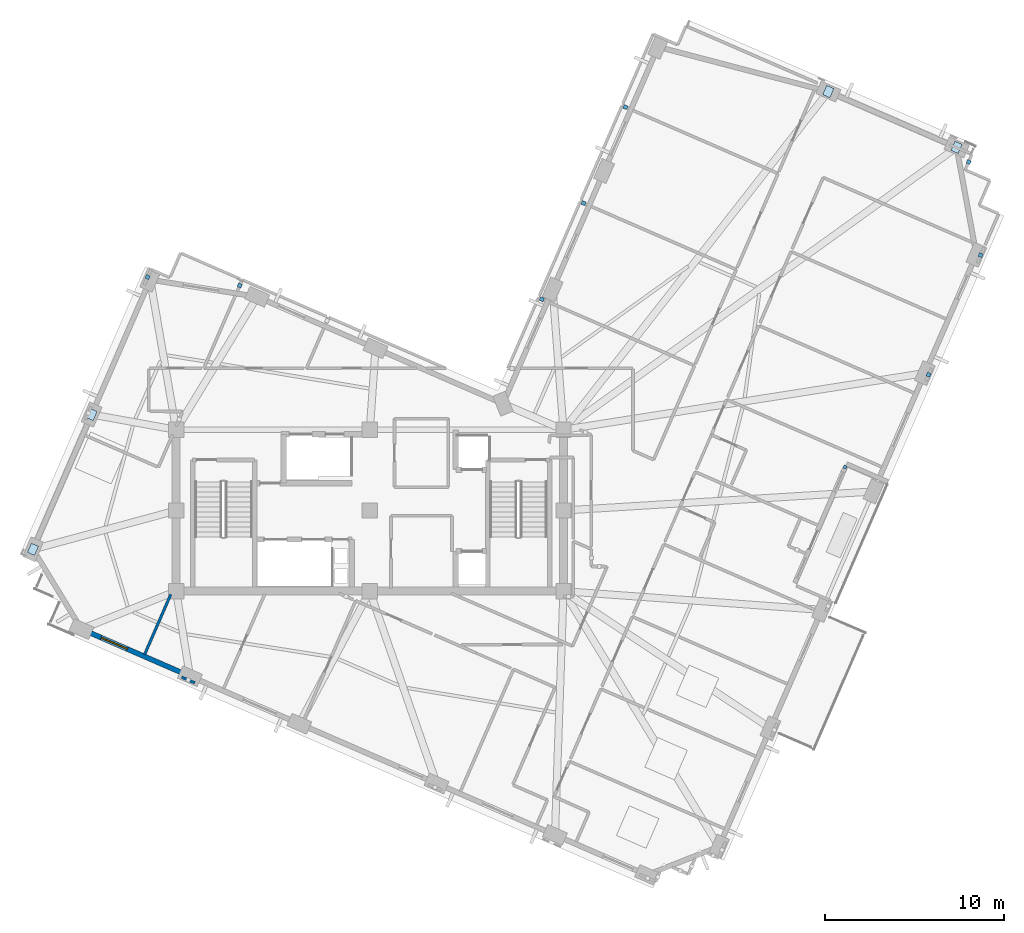
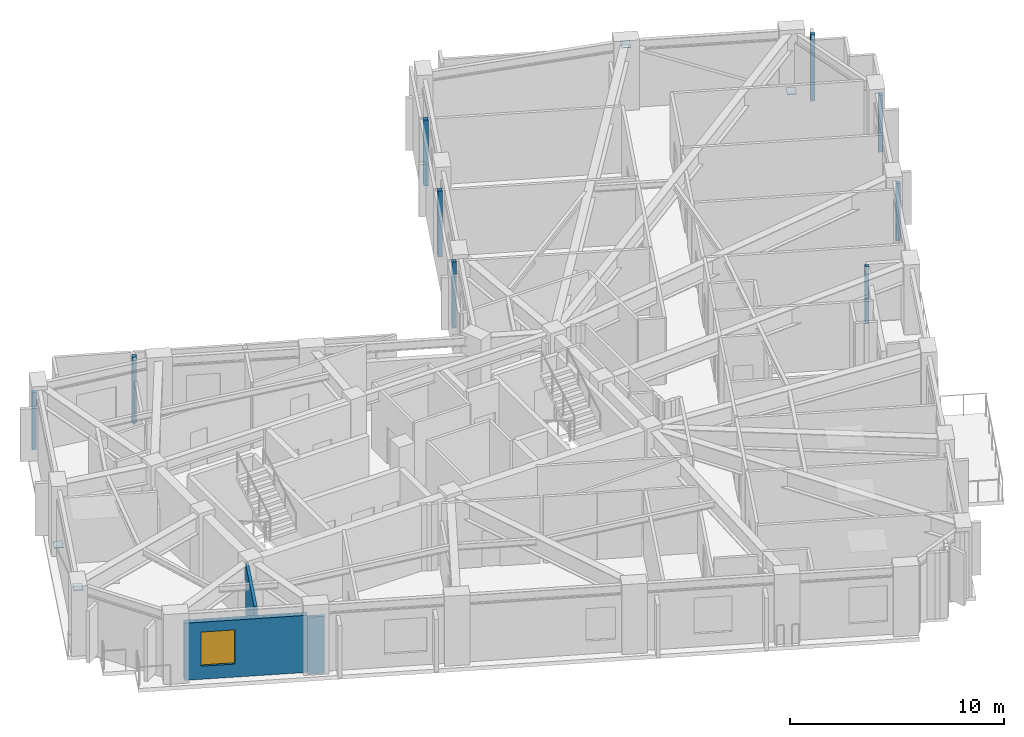
# One storey, part 3 of 11: 13 plates, 3 walls, 1 window, 1 opening.
"""IFC4 building model written with IfcOpenShell, lengths in metres."""

from ifc_helpers import new_model, si_unit, direction, frame, frame_2d, origin, origin_2d, place, context, subcontext, project, spatial, rectangle, extrude, material, layer, layer_set, type_object, element, fill, save


model = new_model("IFC4")

# Units and contexts
model_context = context("Model", 3, precision=1e-05, world=origin(), true_north=direction((0.0, 1.0)))
body_context = subcontext(model_context, "Body", "Model", "MODEL_VIEW")
ifc_project = project(units=[si_unit("LENGTHUNIT", "METRE"), si_unit("AREAUNIT", "SQUARE_METRE"), si_unit("VOLUMEUNIT", "CUBIC_METRE"), si_unit("PLANEANGLEUNIT", "RADIAN"), si_unit("MASSUNIT", "GRAM", prefix="KILO")], contexts=[model_context])

# Site, building, storey
site_placement = place(None, origin())
site = spatial("IfcSite", under=ifc_project, at=site_placement, CompositionType="ELEMENT")
building_placement = place(site_placement, origin())
building = spatial("IfcBuilding", under=site, at=building_placement, Name="Gaonmaruhae Medical Tower", CompositionType="ELEMENT")
storey_placement = place(building_placement, frame((0.0, 0.0, 324.60009765625)))
storey = spatial("IfcBuildingStorey", under=building, at=storey_placement, Name="L78", CompositionType="ELEMENT", Elevation=324.60009765625)

# Plates
ifc_material_1 = material(Name="Steel HSA650 (650 MPa)", Category="steel")
ifc_layer_1 = layer(ifc_material_1, 0.028076171875)
ifc_layer_set_1 = layer_set([ifc_layer_1], Name="Steel HSA650 (650 MPa)")
plate_type_1 = type_object("IfcPlateType", Name="GP-02 Tube Brace End Cap Gusset Plate", PredefinedType="USERDEFINED", material=ifc_layer_set_1)
for number, where, z_axis, x_axis, name in (
    (1, (57.525634765625, 32.552734375, 0.23583984375), (0.0, 0.0, 1.0), (0.398749068925, 0.917060074385, 0.0), "L78 Gusset Cap Plate PLT-L78-PBR-E01A"),
    (2, (50.372802734375, 35.662841796875, 3.515625), (0.0, 0.0, 1.0), (0.398749068925, 0.917060074385, 0.0), "L78 Gusset Cap Plate PLT-L78-PBR-E01B"),
    (3, (9.283447265625, 17.653564453125, 0.23583984375), (0.0, 0.0, 1.0), (0.398749068925, 0.917060074385, 0.0), "L78 Gusset Cap Plate PLT-L78-PBR-N02A"),
    (4, (6.013671875, 10.133544921875, 3.515625), (0.0, 0.0, 1.0), (0.398749068925, 0.917060074385, 0.0), "L78 Gusset Cap Plate PLT-L78-PBR-N02B"),
):
    element("IfcPlate", number, at=place(storey_placement, frame(where, z_axis=z_axis, x_axis=x_axis)), inside=storey, type_object=plate_type_1, Name=name, ObjectType="GUSSET_PLATE", PredefinedType="USERDEFINED", context=body_context, shape_type="SweptSolid", body=[
        extrude(rectangle(XDim=0.56005859375, YDim=0.43994140625, at=origin_2d()), origin(), (0.0, 0.0, 1.0), 0.028076171875),
    ])
ifc_material_2 = material(Name="Anodised aluminium 6063-T6", Category="aluminium")
ifc_layer_2 = layer(ifc_material_2, 0.011962890625)
ifc_layer_set_2 = layer_set([ifc_layer_2], Name="Anodised aluminium 6063-T6")
plate_type_2 = type_object("IfcPlateType", Name="PP-01 Interior Partition Corner Stiffener Plate", PredefinedType="SHEET", material=ifc_layer_set_2)
plate_1_placement = place(storey_placement, frame((51.3095703125, 14.720458984375, 0.0), z_axis=(0.0, 0.0, 1.0), x_axis=(-0.398749068925, -0.917060074385, 0.0)))
element("IfcPlate", 5, at=plate_1_placement, inside=storey, type_object=plate_type_2, Name="L78 Partition End Jamb Post Plate PLT-L78-ENDP-TERB-0", PredefinedType="SHEET", context=body_context, shape_type="SweptSolid", body=[
    extrude(rectangle(XDim=0.179931640625, YDim=0.179931640625, at=origin_2d()), origin(), (0.0, 0.0, 1.0), 3.264892578125),
])
for number, where, z_axis, x_axis, name in (
    (6, (55.969482421875, 19.87158203125, 0.0), (0.0, 0.0, 1.0), (-0.398765074582, -0.917053114761, 0.0), "L78 Partition Corner Stiffener Plate PLT-L78-JGP-PW043"),
    (7, (58.868896484375, 26.53955078125, 0.0), (0.0, 0.0, 1.0), (-0.399197181389, -0.916865099331, 0.0), "L78 Partition Corner Stiffener Plate PLT-L78-JGP-PW047"),
):
    element("IfcPlate", number, at=place(storey_placement, frame(where, z_axis=z_axis, x_axis=x_axis)), inside=storey, type_object=plate_type_2, Name=name, PredefinedType="SHEET", context=body_context, shape_type="SweptSolid", body=[
        extrude(rectangle(XDim=0.219970703125, YDim=0.219970703125, at=origin_2d()), origin(), (0.0, 0.0, 1.0), 3.264892578125),
    ])
for number, where, z_axis, x_axis, name in (
    (8, (58.20556640625, 31.73388671875, 0.0), (0.0, 0.0, 1.0), (-0.398925124471, -0.916983503159, 0.0), "L78 Partition Corner Stiffener Plate PLT-L78-JGP-PW054"),
    (9, (34.3974609375, 24.08251953125, 0.0), (0.0, 0.0, 1.0), (0.917470197664, -0.397804520334, 0.0), "L78 Partition Corner Stiffener Plate PLT-L78-JGP-PW091"),
    (10, (36.7265625, 29.43896484375, 0.0), (0.0, 0.0, 1.0), (0.916628049537, -0.399741189774, 0.0), "L78 Partition Corner Stiffener Plate PLT-L78-JGP-PW098"),
    (11, (39.055419921875, 34.7958984375, 0.0), (0.0, 0.0, 1.0), (0.916628049537, -0.399741189774, 0.0), "L78 Partition Corner Stiffener Plate PLT-L78-JGP-PW102"),
    (12, (17.5458984375, 24.843505859375, 0.0), (0.0, 0.0, 1.0), (0.398428930284, 0.917199208195, 0.0), "L78 Partition Corner Stiffener Plate PLT-L78-JGP-PW116"),
):
    element("IfcPlate", number, at=place(storey_placement, frame(where, z_axis=z_axis, x_axis=x_axis)), inside=storey, type_object=plate_type_2, Name=name, PredefinedType="SHEET", context=body_context, shape_type="SweptSolid", body=[
        extrude(rectangle(XDim=0.219970703125, YDim=0.219970703125, at=origin_2d()), origin(), (0.0, 0.0, 1.0), 3.780029296875),
    ])
plate_2_placement = place(storey_placement, frame((12.408935546875, 25.319091796875, 0.0), z_axis=(0.0, 0.0, 1.0), x_axis=(0.399261189676, 0.916837227876, 0.0)))
element("IfcPlate", 13, at=plate_2_placement, inside=storey, type_object=plate_type_2, Name="L78 Partition Corner Stiffener Plate PLT-L78-JGP-PW124", PredefinedType="SHEET", context=body_context, shape_type="SweptSolid", body=[
    extrude(rectangle(XDim=0.219970703125, YDim=0.219970703125, at=origin_2d()), origin(), (0.0, 0.0, 1.0), 3.264892578125),
])

# Wall, opening, window
ifc_material_3 = material(Name="Precast concrete C45/55", Category="concrete")
ifc_layer_3 = layer(ifc_material_3, 0.280029296875)
ifc_layer_set_3 = layer_set([ifc_layer_3], Name="Precast concrete C45/55")
wall_type_1 = type_object("IfcWallType", Name="EW-280 Upper Precast Masonry-Frame Facade Wall", PredefinedType="SOLIDWALL", material=ifc_layer_set_3)
wall_1_placement = place(storey_placement, frame((14.403076171875, 3.214599609375, 0.0), z_axis=(0.0, 0.0, 1.0), x_axis=(-0.917061363729, 0.398746103624, 0.0)))
wall_1 = element("IfcWall", 14, at=wall_1_placement, inside=storey, type_object=wall_type_1, Name="L78 Precast Masonry-Frame Wall W01-W02", PredefinedType="SOLIDWALL", context=body_context, shape_type="SweptSolid", body=[
    extrude(rectangle(XDim=5.804931640625, YDim=0.280029296875, at=frame_2d((2.90234375, 0.0))), origin(), (0.0, 0.0, 1.0), 3.264892578125),
])
opening_placement = place(wall_1_placement, frame((3.40869140625, 0.0, 0.75)))
opening = element("IfcOpeningElement", 15, at=opening_placement, cuts=wall_1, Name="Opening WN-01", PredefinedType="OPENING", context=body_context, shape_type="SweptSolid", body=[
    extrude(rectangle(XDim=1.60009765625, YDim=1.949951171875, at=frame_2d((0.800048828125, 0.97509765625))), frame((0.0, 0.14990234375, 0.0), z_axis=(0.0, -1.0, 0.0), x_axis=(1.0, 0.0, 0.0)), (0.0, 0.0, 1.0), 0.300048828125),
])
ifc_material_4 = material(Name="Anodised aluminium and Low-E double glazing", Category="aluminium")
window_type = type_object("IfcWindowType", Name="WN-01 Ward Punched Acoustic Window 1600x1950", PartitioningType="SINGLE_PANEL", PredefinedType="WINDOW", material=ifc_material_4)
window_placement = place(opening_placement, origin())
window = element("IfcWindow", 16, at=window_placement, inside=storey, type_object=window_type, Name="L78 Modular Facade Window W01", OverallHeight=1.949951171875, OverallWidth=1.60009765625, PartitioningType="SINGLE_PANEL", PredefinedType="WINDOW", context=body_context, shape_type="SweptSolid", body=[
    extrude(rectangle(XDim=1.60009765625, YDim=1.949951171875, at=frame_2d((0.800048828125, 0.97509765625))), frame((0.0, 0.030029296875, 0.0), z_axis=(0.0, -1.0, 0.0), x_axis=(1.0, 0.0, 0.0)), (0.0, 0.0, 1.0), 0.06005859375),
])
fill(opening, window)

# Walls
ifc_material_5 = material(Name="Gypsum board partition", Category="gypsum")
ifc_layer_4 = layer(ifc_material_5, 0.14990234375)
ifc_layer_set_4 = layer_set([ifc_layer_4], Name="Gypsum board partition")
wall_type_2 = type_object("IfcWallType", Name="PW-150 Rated Clinical Corridor Partition", PredefinedType="PARTITIONING", material=ifc_layer_set_4)
wall_2_placement = place(storey_placement, frame((15.0400390625, 2.68603515625, 0.0), z_axis=(0.0, 0.0, 1.0), x_axis=(-0.916649826418, 0.399691250501, 0.0)))
element("IfcWall", 17, at=wall_2_placement, inside=storey, type_object=wall_type_2, Name="L78 Interior Partition L78-WOF10-73", PredefinedType="PARTITIONING", context=body_context, shape_type="SweptSolid", body=[
    extrude(rectangle(XDim=0.79541015625, YDim=0.14990234375, at=frame_2d((0.397705078125, 0.0))), origin(), (0.0, 0.0, 1.0), 3.264892578125),
])
wall_3_placement = place(storey_placement, frame((12.2451171875, 4.278076171875, 0.0), z_axis=(0.0, 0.0, 1.0), x_axis=(0.398841135758, 0.917020037091, 0.0)))
element("IfcWall", 18, at=wall_3_placement, inside=storey, type_object=wall_type_2, Name="L78 Interior Partition L78-WOF10-74", PredefinedType="PARTITIONING", context=body_context, shape_type="SweptSolid", body=[
    extrude(rectangle(XDim=3.647705078125, YDim=0.14990234375, at=frame_2d((1.82373046875, 0.0))), origin(), (0.0, 0.0, 1.0), 3.77978515625),
])

save(model, "model.ifc")
